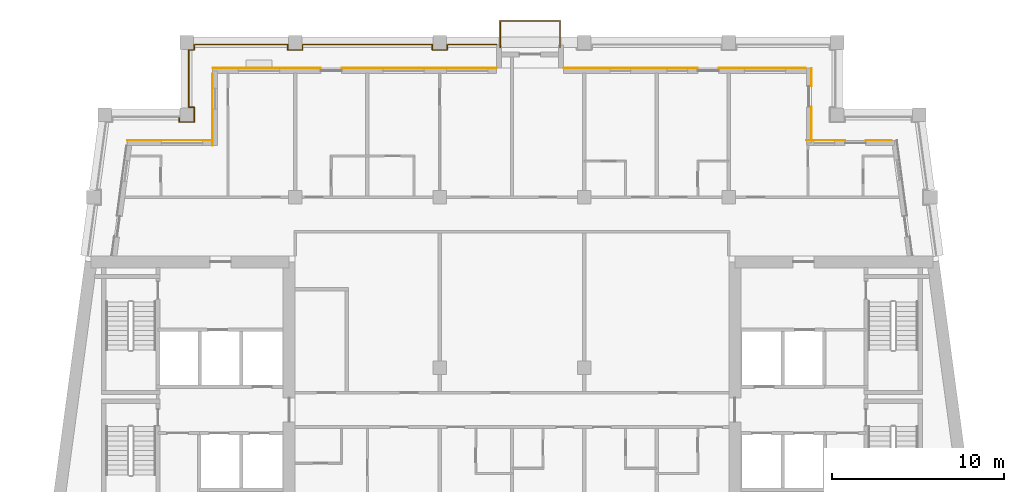
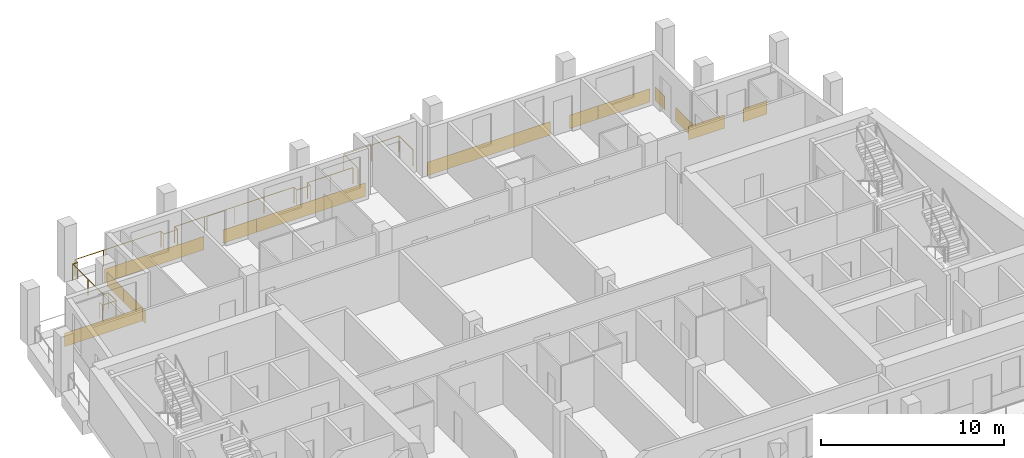
# One storey, part 12 of 13: 13 coverings, 2 railings.
"""IFC4 building model written with IfcOpenShell, lengths in metres."""

from ifc_helpers import new_model, si_unit, direction, frame, origin, origin_2d, place, context, subcontext, project, spatial, rectangle, circle, extrude, material, layer, layer_set, type_object, element, save


model = new_model("IFC4")

# Units and contexts
model_context = context("Model", 3, precision=1e-05, world=origin(), true_north=direction((0.0, 1.0)))
body_context = subcontext(model_context, "Body", "Model", "MODEL_VIEW")
ifc_project = project(units=[si_unit("LENGTHUNIT", "METRE"), si_unit("AREAUNIT", "SQUARE_METRE"), si_unit("VOLUMEUNIT", "CUBIC_METRE"), si_unit("PLANEANGLEUNIT", "RADIAN"), si_unit("MASSUNIT", "GRAM", prefix="KILO")], contexts=[model_context])

# Site, building, storey
site_placement = place(None, origin())
site = spatial("IfcSite", under=ifc_project, at=site_placement, CompositionType="ELEMENT")
building_placement = place(site_placement, origin())
building = spatial("IfcBuilding", under=site, at=building_placement, Name="Candeia Pilgrim Tower and Theatre", CompositionType="ELEMENT")
storey_placement = place(building_placement, frame((0.0, 0.0, 270.10009765625)))
storey = spatial("IfcBuildingStorey", under=building, at=storey_placement, Name="L65", CompositionType="ELEMENT", Elevation=270.10009765625)

# Railings
ifc_material_1 = material(Name="Stainless steel balustrade", Category="steel")
railing_type = type_object("IfcRailingType", Name="G1 loggia guard 1100", PredefinedType="GUARDRAIL", material=ifc_material_1)
railing_1_placement = place(storey_placement, frame((94.070068359375, 140.47998046875, 0.0)))
element("IfcRailing", 1, at=railing_1_placement, inside=storey, type_object=railing_type, Name="Guard L65.1", PredefinedType="GUARDRAIL", context=body_context, shape_type="SweptSolid", body=[
    extrude(circle(Radius=0.02392578125, at=origin_2d()), frame((0.0, 0.0, 1.076171875), z_axis=(0.0, -1.0, 0.0), x_axis=(1.0, 0.0, 0.0)), (0.0, 0.0, 1.0), 0.31005859375),
    extrude(circle(Radius=0.02392578125, at=origin_2d()), frame((0.0, -0.31005859375, 1.076171875), z_axis=(1.0, 0.0, 0.0), x_axis=(0.0, 1.0, 0.0)), (0.0, 0.0, 1.0), 0.85986328125),
    extrude(circle(Radius=0.02392578125, at=origin_2d()), frame((0.85986328125, -0.31005859375, 1.076171875), z_axis=(0.0, 1.0, 0.0), x_axis=(-1.0, 0.0, 0.0)), (0.0, 0.0, 1.0), 0.860107421875),
    extrude(circle(Radius=0.02392578125, at=origin_2d()), frame((0.85986328125, 0.550048828125, 1.076171875), z_axis=(-1.0, 0.0, 0.0), x_axis=(0.0, -1.0, 0.0)), (0.0, 0.0, 1.0), 0.309814453125),
    extrude(circle(Radius=0.02392578125, at=origin_2d()), frame((0.550048828125, 0.550048828125, 1.076171875), z_axis=(0.0, 1.0, 0.0), x_axis=(-1.0, 0.0, 0.0)), (0.0, 0.0, 1.0), 3.340087890625),
    extrude(circle(Radius=0.02392578125, at=origin_2d()), frame((0.550048828125, 3.89013671875, 1.076171875), z_axis=(1.0, 0.0, 0.0), x_axis=(0.0, 1.0, 0.0)), (0.0, 0.0, 1.0), 0.309814453125),
    extrude(circle(Radius=0.02392578125, at=origin_2d()), frame((0.85986328125, 3.89013671875, 1.076171875), z_axis=(0.0, 1.0, 0.0), x_axis=(-1.0, 0.0, 0.0)), (0.0, 0.0, 1.0), 0.309814453125),
    extrude(circle(Radius=0.02392578125, at=origin_2d()), frame((0.85986328125, 4.199951171875, 1.076171875), z_axis=(1.0, 0.0, 0.0), x_axis=(0.0, 1.0, 0.0)), (0.0, 0.0, 1.0), 5.440185546875),
    extrude(circle(Radius=0.02392578125, at=origin_2d()), frame((6.300048828125, 4.199951171875, 1.076171875), z_axis=(0.0, -1.0, 0.0), x_axis=(1.0, 0.0, 0.0)), (0.0, 0.0, 1.0), 0.309814453125),
    extrude(circle(Radius=0.02392578125, at=origin_2d()), frame((6.300048828125, 3.89013671875, 1.076171875), z_axis=(1.0, 0.0, 0.0), x_axis=(0.0, 1.0, 0.0)), (0.0, 0.0, 1.0), 0.85986328125),
    extrude(circle(Radius=0.02392578125, at=origin_2d()), frame((7.159912109375, 3.89013671875, 1.076171875), z_axis=(0.0, 1.0, 0.0), x_axis=(-1.0, 0.0, 0.0)), (0.0, 0.0, 1.0), 0.309814453125),
    extrude(circle(Radius=0.02392578125, at=origin_2d()), frame((7.159912109375, 4.199951171875, 1.076171875), z_axis=(1.0, 0.0, 0.0), x_axis=(0.0, 1.0, 0.0)), (0.0, 0.0, 1.0), 7.5400390625),
    extrude(circle(Radius=0.02392578125, at=origin_2d()), frame((14.699951171875, 4.199951171875, 1.076171875), z_axis=(0.0, -1.0, 0.0), x_axis=(1.0, 0.0, 0.0)), (0.0, 0.0, 1.0), 0.309814453125),
    extrude(circle(Radius=0.02392578125, at=origin_2d()), frame((14.699951171875, 3.89013671875, 1.076171875), z_axis=(1.0, 0.0, 0.0), x_axis=(0.0, 1.0, 0.0)), (0.0, 0.0, 1.0), 0.85986328125),
    extrude(circle(Radius=0.02392578125, at=origin_2d()), frame((15.559814453125, 3.89013671875, 1.076171875), z_axis=(0.0, 1.0, 0.0), x_axis=(-1.0, 0.0, 0.0)), (0.0, 0.0, 1.0), 0.309814453125),
    extrude(circle(Radius=0.02392578125, at=origin_2d()), frame((15.559814453125, 4.199951171875, 1.076171875), z_axis=(1.0, 0.0, 0.0), x_axis=(0.0, 1.0, 0.0)), (0.0, 0.0, 1.0), 2.8701171875),
    extrude(circle(Radius=0.02099609375, at=origin_2d()), origin(), (0.0, 0.0, 1.0), 1.052001953125),
    extrude(circle(Radius=0.02099609375, at=origin_2d()), frame((0.0, -0.31005859375, 0.0)), (0.0, 0.0, 1.0), 1.052001953125),
    extrude(circle(Radius=0.02099609375, at=origin_2d()), frame((0.85986328125, -0.31005859375, 0.0)), (0.0, 0.0, 1.0), 1.052001953125),
    extrude(circle(Radius=0.02099609375, at=origin_2d()), frame((0.85986328125, 0.550048828125, 0.0)), (0.0, 0.0, 1.0), 1.052001953125),
    extrude(circle(Radius=0.02099609375, at=origin_2d()), frame((0.550048828125, 0.550048828125, 0.0)), (0.0, 0.0, 1.0), 1.052001953125),
    extrude(circle(Radius=0.02099609375, at=origin_2d()), frame((0.550048828125, 2.22021484375, 0.0)), (0.0, 0.0, 1.0), 1.052001953125),
    extrude(circle(Radius=0.02099609375, at=origin_2d()), frame((0.550048828125, 3.89013671875, 0.0)), (0.0, 0.0, 1.0), 1.052001953125),
    extrude(circle(Radius=0.02099609375, at=origin_2d()), frame((0.85986328125, 3.89013671875, 0.0)), (0.0, 0.0, 1.0), 1.052001953125),
    extrude(circle(Radius=0.02099609375, at=origin_2d()), frame((0.85986328125, 4.199951171875, 0.0)), (0.0, 0.0, 1.0), 1.052001953125),
    extrude(circle(Radius=0.02099609375, at=origin_2d()), frame((2.67333984375, 4.199951171875, 0.0)), (0.0, 0.0, 1.0), 1.052001953125),
    extrude(circle(Radius=0.02099609375, at=origin_2d()), frame((4.486572265625, 4.199951171875, 0.0)), (0.0, 0.0, 1.0), 1.052001953125),
    extrude(circle(Radius=0.02099609375, at=origin_2d()), frame((6.300048828125, 4.199951171875, 0.0)), (0.0, 0.0, 1.0), 1.052001953125),
    extrude(circle(Radius=0.02099609375, at=origin_2d()), frame((6.300048828125, 3.89013671875, 0.0)), (0.0, 0.0, 1.0), 1.052001953125),
    extrude(circle(Radius=0.02099609375, at=origin_2d()), frame((7.159912109375, 3.89013671875, 0.0)), (0.0, 0.0, 1.0), 1.052001953125),
    extrude(circle(Radius=0.02099609375, at=origin_2d()), frame((7.159912109375, 4.199951171875, 0.0)), (0.0, 0.0, 1.0), 1.052001953125),
    extrude(circle(Radius=0.02099609375, at=origin_2d()), frame((9.044921875, 4.199951171875, 0.0)), (0.0, 0.0, 1.0), 1.052001953125),
    extrude(circle(Radius=0.02099609375, at=origin_2d()), frame((10.929931640625, 4.199951171875, 0.0)), (0.0, 0.0, 1.0), 1.052001953125),
    extrude(circle(Radius=0.02099609375, at=origin_2d()), frame((12.81494140625, 4.199951171875, 0.0)), (0.0, 0.0, 1.0), 1.052001953125),
    extrude(circle(Radius=0.02099609375, at=origin_2d()), frame((14.699951171875, 4.199951171875, 0.0)), (0.0, 0.0, 1.0), 1.052001953125),
    extrude(circle(Radius=0.02099609375, at=origin_2d()), frame((14.699951171875, 3.89013671875, 0.0)), (0.0, 0.0, 1.0), 1.052001953125),
    extrude(circle(Radius=0.02099609375, at=origin_2d()), frame((15.559814453125, 3.89013671875, 0.0)), (0.0, 0.0, 1.0), 1.052001953125),
    extrude(circle(Radius=0.02099609375, at=origin_2d()), frame((15.559814453125, 4.199951171875, 0.0)), (0.0, 0.0, 1.0), 1.052001953125),
    extrude(circle(Radius=0.02099609375, at=origin_2d()), frame((16.994873046875, 4.199951171875, 0.0)), (0.0, 0.0, 1.0), 1.052001953125),
    extrude(circle(Radius=0.02099609375, at=origin_2d()), frame((18.429931640625, 4.199951171875, 0.0)), (0.0, 0.0, 1.0), 1.052001953125),
])
railing_2_placement = place(storey_placement, frame((112.7099609375, 144.5, 0.0)))
element("IfcRailing", 2, at=railing_2_placement, inside=storey, type_object=railing_type, Name="Balcony guard L65", PredefinedType="GUARDRAIL", context=body_context, shape_type="SweptSolid", body=[
    extrude(circle(Radius=0.02392578125, at=origin_2d()), frame((0.0, 0.0, 1.076171875), z_axis=(0.0, 1.0, 0.0), x_axis=(-1.0, 0.0, 0.0)), (0.0, 0.0, 1.0), 1.5400390625),
    extrude(circle(Radius=0.02392578125, at=origin_2d()), frame((0.0, 1.5400390625, 1.076171875), z_axis=(1.0, 0.0, 0.0), x_axis=(0.0, 1.0, 0.0)), (0.0, 0.0, 1.0), 3.47998046875),
    extrude(circle(Radius=0.02392578125, at=origin_2d()), frame((3.47998046875, 1.5400390625, 1.076171875), z_axis=(0.0, -1.0, 0.0), x_axis=(1.0, 0.0, 0.0)), (0.0, 0.0, 1.0), 1.5400390625),
    extrude(circle(Radius=0.02099609375, at=origin_2d()), origin(), (0.0, 0.0, 1.0), 1.052001953125),
    extrude(circle(Radius=0.02099609375, at=origin_2d()), frame((0.0, 1.5400390625, 0.0)), (0.0, 0.0, 1.0), 1.052001953125),
    extrude(circle(Radius=0.02099609375, at=origin_2d()), frame((1.739990234375, 1.5400390625, 0.0)), (0.0, 0.0, 1.0), 1.052001953125),
    extrude(circle(Radius=0.02099609375, at=origin_2d()), frame((3.47998046875, 1.5400390625, 0.0)), (0.0, 0.0, 1.0), 1.052001953125),
    extrude(circle(Radius=0.02099609375, at=origin_2d()), frame((3.47998046875, 0.0, 0.0)), (0.0, 0.0, 1.0), 1.052001953125),
])

# Coverings
ifc_material_2 = material(Name="Glazed ceramic tile bottle green")
ifc_layer_1 = layer(ifc_material_2, 0.02001953125)
ifc_layer_set_1 = layer_set([ifc_layer_1], Name="Glazed ceramic tile bottle green")
covering_type_1 = type_object("IfcCoveringType", Name="Glazed ceramic tile bottle green", PredefinedType="CLADDING", material=ifc_layer_set_1)
covering_1_placement = place(storey_placement, frame((134.701416015625, 139.110107421875, 0.0), z_axis=(0.0, 0.0, 1.0), x_axis=(-1.0, 0.0, 0.0)))
element("IfcCovering", 3, at=covering_1_placement, inside=storey, type_object=covering_type_1, Name="Tile cladding bottle green L65", PredefinedType="CLADDING", context=body_context, shape_type="SweptSolid", body=[
    extrude(rectangle(XDim=1.502685546875, YDim=0.02001953125, at=origin_2d()), origin(), (0.0, 0.0, 1.0), 0.89990234375),
])
covering_2_placement = place(storey_placement, frame((131.625, 139.110107421875, 0.0), z_axis=(0.0, 0.0, 1.0), x_axis=(-1.0, 0.0, 0.0)))
element("IfcCovering", 4, at=covering_2_placement, inside=storey, type_object=covering_type_1, Name="Tile cladding bottle green L65", PredefinedType="CLADDING", context=body_context, shape_type="SweptSolid", body=[
    extrude(rectangle(XDim=2.25, YDim=0.02001953125, at=origin_2d()), origin(), (0.0, 0.0, 1.0), 0.89990234375),
])
covering_3_placement = place(storey_placement, frame((130.81005859375, 142.77490234375, 0.0), z_axis=(0.0, 0.0, 1.0), x_axis=(0.0, 1.0, 0.0)))
element("IfcCovering", 5, at=covering_3_placement, inside=storey, type_object=covering_type_1, Name="Tile cladding bottle green L65", PredefinedType="CLADDING", context=body_context, shape_type="SweptSolid", body=[
    extrude(rectangle(XDim=1.050048828125, YDim=0.02001953125, at=origin_2d()), origin(), (0.0, 0.0, 1.0), 0.89990234375),
])
covering_4_placement = place(storey_placement, frame((128.840087890625, 143.31005859375, 0.0), z_axis=(0.0, 0.0, 1.0), x_axis=(-1.0, 0.0, 0.0)))
element("IfcCovering", 6, at=covering_4_placement, inside=storey, type_object=covering_type_1, Name="Tile cladding bottle green L65", PredefinedType="CLADDING", context=body_context, shape_type="SweptSolid", body=[
    extrude(rectangle(XDim=3.280029296875, YDim=0.02001953125, at=origin_2d()), origin(), (0.0, 0.0, 1.0), 0.89990234375),
])
covering_5_placement = place(storey_placement, frame((104.550048828125, 143.31005859375, 0.0), z_axis=(0.0, 0.0, 1.0), x_axis=(-1.0, 0.0, 0.0)))
element("IfcCovering", 7, at=covering_5_placement, inside=storey, type_object=covering_type_1, Name="Tile cladding bottle green L65", PredefinedType="CLADDING", context=body_context, shape_type="SweptSolid", body=[
    extrude(rectangle(XDim=2.10009765625, YDim=0.02001953125, at=origin_2d()), origin(), (0.0, 0.0, 1.0), 0.89990234375),
])
covering_6_placement = place(storey_placement, frame((99.14990234375, 143.31005859375, 0.0), z_axis=(0.0, 0.0, 1.0), x_axis=(-1.0, 0.0, 0.0)))
element("IfcCovering", 8, at=covering_6_placement, inside=storey, type_object=covering_type_1, Name="Tile cladding bottle green L65", PredefinedType="CLADDING", context=body_context, shape_type="SweptSolid", body=[
    extrude(rectangle(XDim=6.300048828125, YDim=0.02001953125, at=origin_2d()), origin(), (0.0, 0.0, 1.0), 0.89990234375),
])
covering_7_placement = place(storey_placement, frame((95.989990234375, 142.090087890625, 0.0), z_axis=(0.0, 0.0, 1.0), x_axis=(0.0, -1.0, 0.0)))
element("IfcCovering", 9, at=covering_7_placement, inside=storey, type_object=covering_type_1, Name="Tile cladding bottle green L65", PredefinedType="CLADDING", context=body_context, shape_type="SweptSolid", body=[
    extrude(rectangle(XDim=1.780029296875, YDim=0.02001953125, at=origin_2d()), origin(), (0.0, 0.0, 1.0), 0.89990234375),
])
covering_8_placement = place(storey_placement, frame((93.51318359375, 139.110107421875, 0.0), z_axis=(0.0, 0.0, 1.0), x_axis=(-1.0, 0.0, 0.0)))
element("IfcCovering", 10, at=covering_8_placement, inside=storey, type_object=covering_type_1, Name="Tile cladding bottle green L65", PredefinedType="CLADDING", context=body_context, shape_type="SweptSolid", body=[
    extrude(rectangle(XDim=4.933837890625, YDim=0.02001953125, at=origin_2d()), origin(), (0.0, 0.0, 1.0), 0.89990234375),
])
ifc_material_3 = material(Name="Glazed ceramic tile rust")
ifc_layer_2 = layer(ifc_material_3, 0.02001953125)
ifc_layer_set_2 = layer_set([ifc_layer_2], Name="Glazed ceramic tile rust")
covering_type_2 = type_object("IfcCoveringType", Name="Glazed ceramic tile rust", PredefinedType="CLADDING", material=ifc_layer_set_2)
covering_9_placement = place(storey_placement, frame((130.81005859375, 140.0849609375, 0.0), z_axis=(0.0, 0.0, 1.0), x_axis=(0.0, 1.0, 0.0)))
element("IfcCovering", 11, at=covering_9_placement, inside=storey, type_object=covering_type_2, Name="Tile cladding rust L65", PredefinedType="CLADDING", context=body_context, shape_type="SweptSolid", body=[
    extrude(rectangle(XDim=1.929931640625, YDim=0.02001953125, at=origin_2d()), origin(), (0.0, 0.0, 1.0), 0.89990234375),
])
covering_10_placement = place(storey_placement, frame((126.300048828125, 143.31005859375, 0.0), z_axis=(0.0, 0.0, 1.0), x_axis=(-1.0, 0.0, 0.0)))
element("IfcCovering", 12, at=covering_10_placement, inside=storey, type_object=covering_type_2, Name="Tile cladding rust L65", PredefinedType="CLADDING", context=body_context, shape_type="SweptSolid", body=[
    extrude(rectangle(XDim=1.800048828125, YDim=0.02001953125, at=origin_2d()), origin(), (0.0, 0.0, 1.0), 0.89990234375),
])
covering_11_placement = place(storey_placement, frame((120.300048828125, 143.31005859375, 0.0), z_axis=(0.0, 0.0, 1.0), x_axis=(-1.0, 0.0, 0.0)))
element("IfcCovering", 13, at=covering_11_placement, inside=storey, type_object=covering_type_2, Name="Tile cladding rust L65", PredefinedType="CLADDING", context=body_context, shape_type="SweptSolid", body=[
    extrude(rectangle(XDim=7.800048828125, YDim=0.02001953125, at=origin_2d()), origin(), (0.0, 0.0, 1.0), 0.89990234375),
])
covering_12_placement = place(storey_placement, frame((109.050048828125, 143.31005859375, 0.0), z_axis=(0.0, 0.0, 1.0), x_axis=(-1.0, 0.0, 0.0)))
element("IfcCovering", 14, at=covering_12_placement, inside=storey, type_object=covering_type_2, Name="Tile cladding rust L65", PredefinedType="CLADDING", context=body_context, shape_type="SweptSolid", body=[
    extrude(rectangle(XDim=6.89990234375, YDim=0.02001953125, at=origin_2d()), origin(), (0.0, 0.0, 1.0), 0.89990234375),
])
covering_13_placement = place(storey_placement, frame((95.989990234375, 140.0, 0.0), z_axis=(0.0, 0.0, 1.0), x_axis=(0.0, -1.0, 0.0)))
element("IfcCovering", 15, at=covering_13_placement, inside=storey, type_object=covering_type_2, Name="Tile cladding rust L65", PredefinedType="CLADDING", context=body_context, shape_type="SweptSolid", body=[
    extrude(rectangle(XDim=2.39990234375, YDim=0.02001953125, at=origin_2d()), origin(), (0.0, 0.0, 1.0), 0.89990234375),
])

save(model, "model.ifc")
